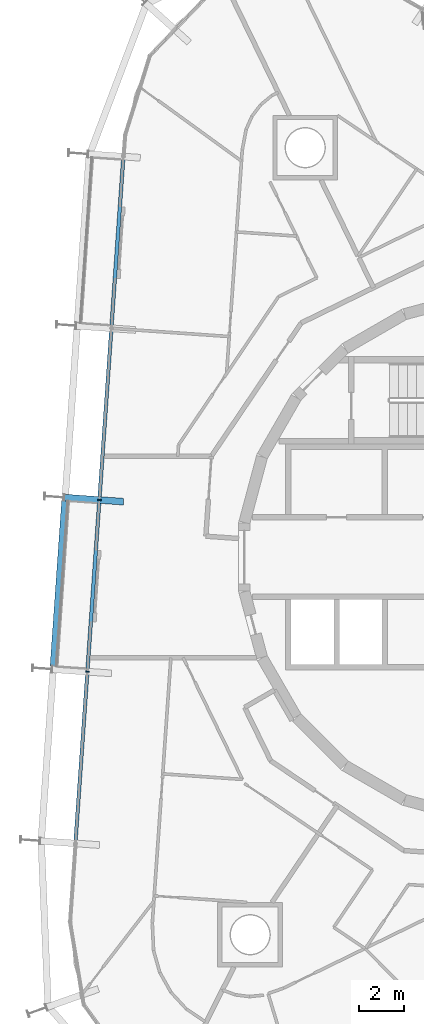
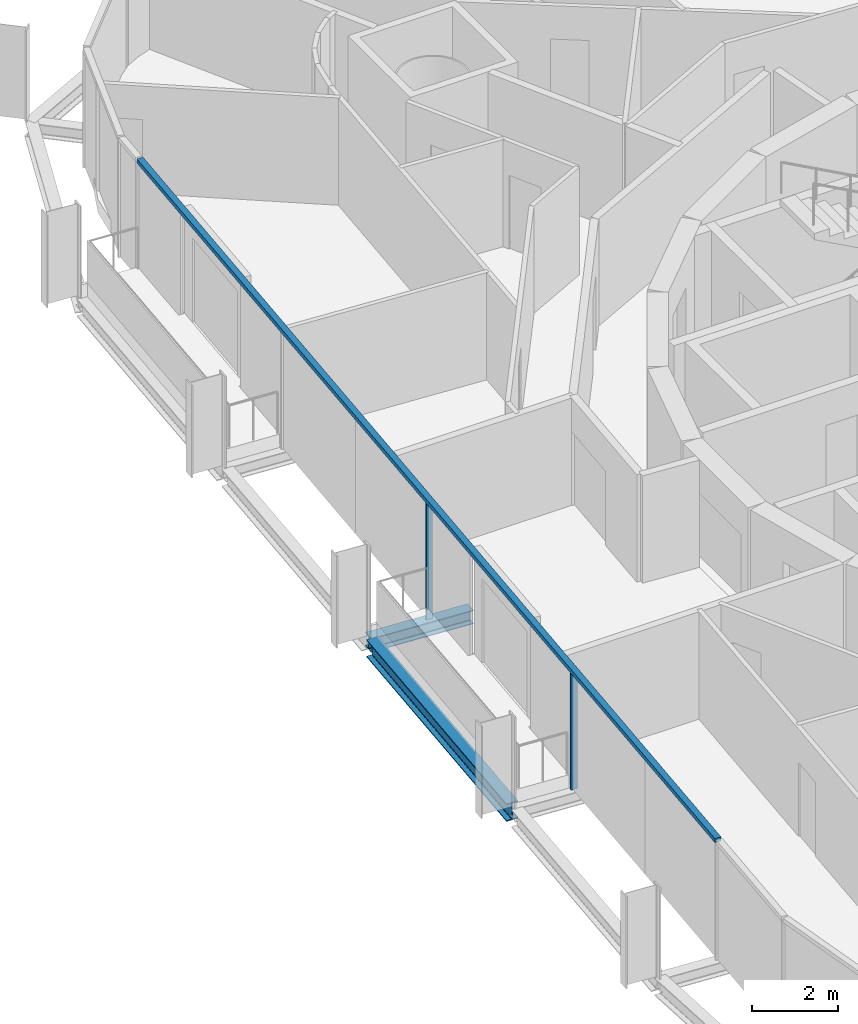
# One storey, part 4 of 17: 3 members, 2 beams, 1 element without a shape of its own.
"""IFC4 building model written with IfcOpenShell, lengths in metres."""

from ifc_helpers import new_model, si_unit, direction, frame, origin, origin_2d, place, context, subcontext, project, spatial, rectangle, i_section, extrude, material, layer, layer_set, material_profile, profile_set, type_object, element, aggregate, save


model = new_model("IFC4")

# Units and contexts
model_context = context("Model", 3, precision=1e-05, world=origin(), true_north=direction((0.0, 1.0)))
body_context = subcontext(model_context, "Body", "Model", "MODEL_VIEW")
ifc_project = project(units=[si_unit("LENGTHUNIT", "METRE"), si_unit("AREAUNIT", "SQUARE_METRE"), si_unit("VOLUMEUNIT", "CUBIC_METRE"), si_unit("PLANEANGLEUNIT", "RADIAN"), si_unit("MASSUNIT", "GRAM", prefix="KILO")], contexts=[model_context])

# Site, building, storey
site_placement = place(None, origin())
site = spatial("IfcSite", under=ifc_project, at=site_placement, CompositionType="ELEMENT")
building_placement = place(site_placement, origin())
building = spatial("IfcBuilding", under=site, at=building_placement, Name="Spindle Arch Residences", CompositionType="ELEMENT")
storey_placement = place(building_placement, frame((0.0, 0.0, 216.39990234375)))
storey = spatial("IfcBuildingStorey", under=building, at=storey_placement, Name="L55", CompositionType="ELEMENT", Elevation=216.39990234375)

# Curtain wall, members
ifc_material_1 = material(Name="Aluminium bronze unitised frame with tinted glass", Category="aluminium")
ifc_layer = layer(ifc_material_1, 0.159912109375)
ifc_layer_set = layer_set([ifc_layer], Name="CW-C typical residential unitised wall")
curtain_wall_type = type_object("IfcCurtainWallType", Name="CW-C typical residential unitised wall", PredefinedType="NOTDEFINED", material=ifc_layer_set)
curtain_wall_placement = place(storey_placement, origin())
curtain_wall = element("IfcCurtainWall", 1, at=curtain_wall_placement, inside=storey, type_object=curtain_wall_type, Name="CW-C L55 run 4", PredefinedType="NOTDEFINED")
ifc_material_2 = material(Name="Aluminium bronze anodised mullion", Category="aluminium")
ifc_material_profile_1 = material_profile(ifc_material_2, rectangle(XDim=0.159912109375, YDim=0.06005859375, at=origin_2d()), Name="MU 60x160")
ifc_profile_set_1 = profile_set([ifc_material_profile_1], Name="Aluminium bronze anodised mullion")
member_type_1 = type_object("IfcMemberType", Name="Bronze mullion 60x160", PredefinedType="MULLION", material=ifc_profile_set_1)
member_1_placement = place(storey_placement, frame((-18.126708984375, 2.552978515625, -0.3798828125), z_axis=(0.0, 0.0, 1.0), x_axis=(0.99756405026, -0.069756473744, 0.0)))
member_1 = element("IfcMember", 2, at=member_1_placement, type_object=member_type_1, Name="CW-C mullion 14", PredefinedType="MULLION", context=body_context, shape_type="SweptSolid", body=[
    extrude(rectangle(XDim=0.159912109375, YDim=0.06005859375, at=origin_2d()), origin(), (0.0, 0.0, 1.0), 3.31005859375),
])
member_2_placement = place(storey_placement, frame((-18.66357421875, -5.1220703125, -0.3798828125), z_axis=(0.0, 0.0, 1.0), x_axis=(0.99756405026, -0.069756473744, 0.0)))
member_2 = element("IfcMember", 3, at=member_2_placement, type_object=member_type_1, Name="CW-C mullion 15", PredefinedType="MULLION", context=body_context, shape_type="SweptSolid", body=[
    extrude(rectangle(XDim=0.159912109375, YDim=0.06005859375, at=origin_2d()), origin(), (0.0, 0.0, 1.0), 3.31005859375),
])
ifc_material_3 = material(Name="Aluminium bronze anodised transom", Category="aluminium")
ifc_material_profile_2 = material_profile(ifc_material_3, rectangle(XDim=0.159912109375, YDim=0.1201171875, at=origin_2d()), Name="TR 120x160")
ifc_profile_set_2 = profile_set([ifc_material_profile_2], Name="Aluminium bronze anodised transom")
member_type_2 = type_object("IfcMemberType", Name="Bronze transom 120x160", PredefinedType="USERDEFINED", material=ifc_profile_set_2)
member_3_placement = place(storey_placement, frame((-17.0556640625, 17.873046875, 2.989990234375), z_axis=(-0.069748921728, -0.997564578319, 0.0), x_axis=(0.997564578319, -0.069748921728, 0.0)))
member_3 = element("IfcMember", 4, at=member_3_placement, type_object=member_type_2, Name="CW-C transom 00", ObjectType="TRANSOM", PredefinedType="USERDEFINED", context=body_context, shape_type="SweptSolid", body=[
    extrude(rectangle(XDim=0.159912109375, YDim=0.1201171875, at=origin_2d()), origin(), (0.0, 0.0, 1.0), 30.71484375),
])
aggregate(curtain_wall, [member_3, member_1, member_2])

# Beams
ifc_material_4 = material(Name="Steel S460ML, intumescent coating R 120", Category="steel")
ifc_material_profile_3 = material_profile(ifc_material_4, i_section(OverallWidth=0.300048828125, OverallDepth=0.5, WebThickness=0.014404296875, FlangeThickness=0.028076171875, FilletRadius=0.027099609375, at=origin_2d()), Name="HEB 500")
ifc_profile_set_3 = profile_set([ifc_material_profile_3], Name="Steel S460ML, intumescent coating R 120")
beam_type_1 = type_object("IfcBeamType", Name="Exoskeleton edge beam HEB 500", PredefinedType="BEAM", material=ifc_profile_set_3)
beam_1_placement = place(storey_placement, frame((-19.662109375, 2.530029296875, -0.6298828125), z_axis=(-0.069757879566, -0.997563951954, 0.0), x_axis=(0.997563951954, -0.069757879566, 0.0)))
element("IfcBeam", 5, at=beam_1_placement, inside=storey, type_object=beam_type_1, Name="Exoskeleton edge beam 15", PredefinedType="BEAM", context=body_context, shape_type="SweptSolid", body=[
    extrude(i_section(OverallWidth=0.300048828125, OverallDepth=0.5, WebThickness=0.014404296875, FlangeThickness=0.028076171875, FilletRadius=0.027099609375, at=origin_2d()), origin(), (0.0, 0.0, 1.0), 7.43359375),
])
ifc_material_5 = material(Name="Steel S460ML, intumescent coating R 120", Category="steel")
ifc_material_profile_4 = material_profile(ifc_material_5, i_section(OverallWidth=0.300048828125, OverallDepth=0.389892578125, WebThickness=0.010986328125, FlangeThickness=0.01904296875, FilletRadius=0.027099609375, at=origin_2d()), Name="HEA 400")
ifc_profile_set_4 = profile_set([ifc_material_profile_4], Name="Steel S460ML, intumescent coating R 120")
beam_type_2 = type_object("IfcBeamType", Name="Floor outrigger HEA 400", PredefinedType="BEAM", material=ifc_profile_set_4)
beam_2_placement = place(storey_placement, frame((-19.693115234375, 2.66259765625, -0.574951171875), z_axis=(0.997565124092, -0.069741115528, 0.0), x_axis=(0.069741115528, 0.997565124092, 0.0)))
element("IfcBeam", 6, at=beam_2_placement, inside=storey, type_object=beam_type_2, Name="Floor outrigger 15", PredefinedType="BEAM", context=body_context, shape_type="SweptSolid", body=[
    extrude(i_section(OverallWidth=0.300048828125, OverallDepth=0.389892578125, WebThickness=0.010986328125, FlangeThickness=0.01904296875, FilletRadius=0.027099609375, at=origin_2d()), origin(), (0.0, 0.0, 1.0), 2.64990234375),
])

save(model, "model.ifc")
